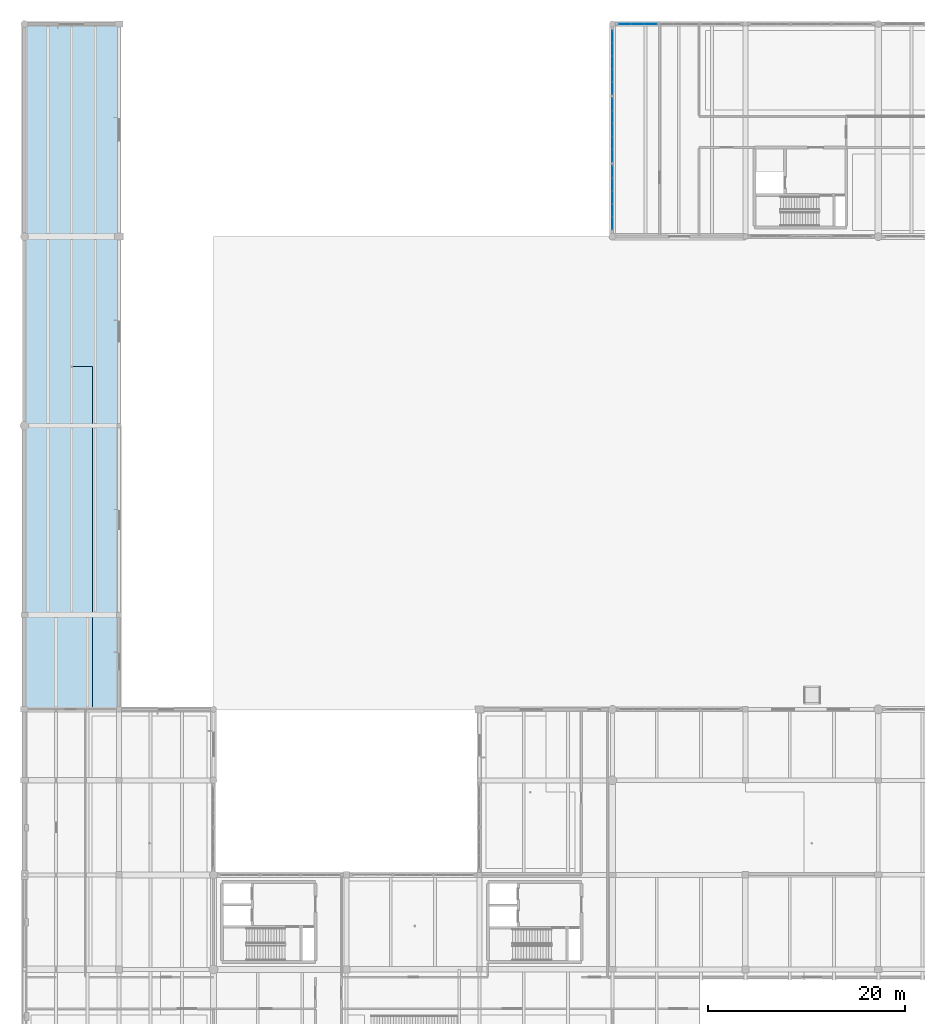
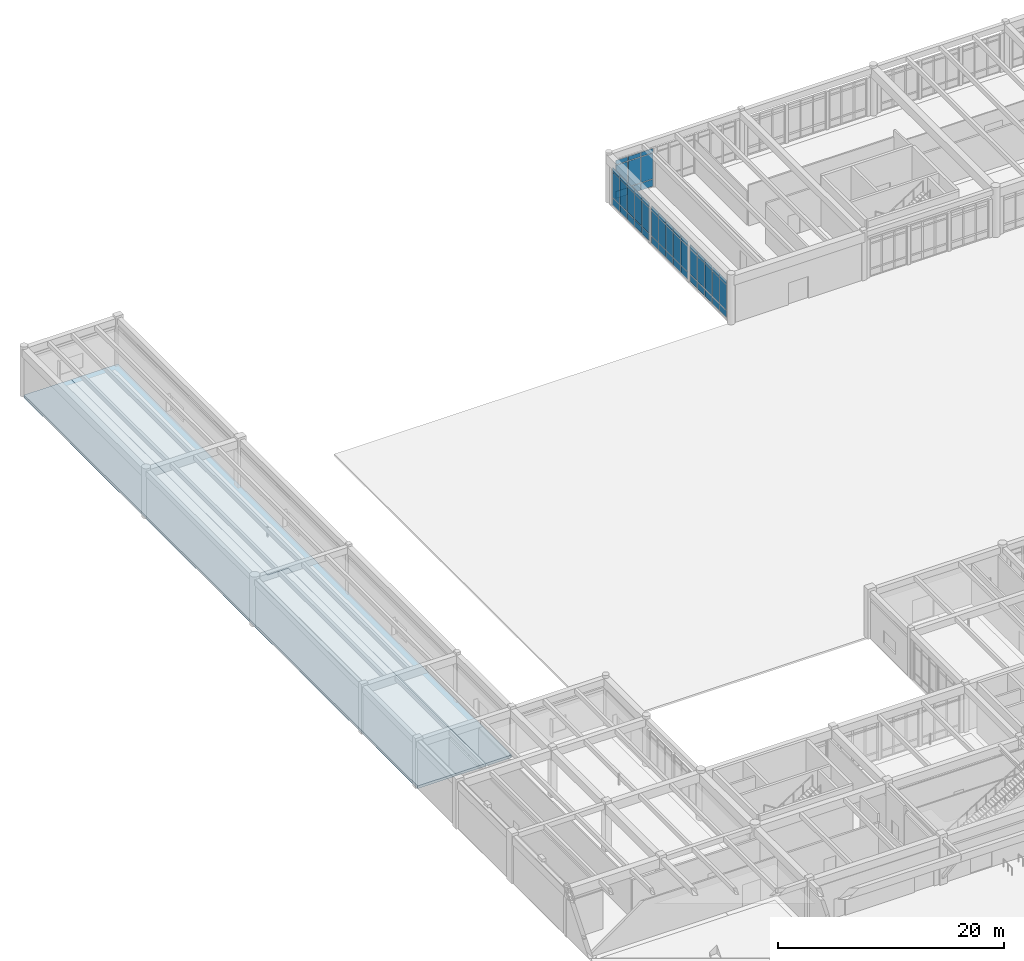
# One storey, part 93 of 138: 54 plates, 2 slabs, 4 elements without a shape of their own.
"""IFC4 building model written with IfcOpenShell, lengths in metres."""

from ifc_helpers import new_model, si_unit, direction, frame, origin, origin_2d, place, context, subcontext, project, spatial, polyline, rectangle, outline, extrude, material, layer, layer_set, type_object, element, aggregate, save


model = new_model("IFC4")

# Units and contexts
model_context = context("Model", 3, precision=1e-05, world=origin(), true_north=direction((0.0, 1.0)))
body_context = subcontext(model_context, "Body", "Model", "MODEL_VIEW")
ifc_project = project(units=[si_unit("LENGTHUNIT", "METRE"), si_unit("AREAUNIT", "SQUARE_METRE"), si_unit("VOLUMEUNIT", "CUBIC_METRE"), si_unit("PLANEANGLEUNIT", "RADIAN"), si_unit("MASSUNIT", "GRAM", prefix="KILO")], contexts=[model_context])

# Site, building, storey
site_placement = place(None, origin())
site = spatial("IfcSite", under=ifc_project, at=site_placement, CompositionType="ELEMENT")
building_placement = place(site_placement, origin())
building = spatial("IfcBuilding", under=site, at=building_placement, Name="Fikremerkos Civic Library", CompositionType="ELEMENT")
storey_placement = place(building_placement, origin())
storey = spatial("IfcBuildingStorey", under=building, at=storey_placement, Name="L00", CompositionType="ELEMENT", Elevation=0.0)

# Curtain wall, plates
ifc_material_1 = material(Name="Anodized aluminium Frame", Category="aluminium")
ifc_layer_1 = layer(ifc_material_1, 0.159912109375, Name="Anodized aluminium Frame")
ifc_layer_set_1 = layer_set([ifc_layer_1], Name="Anodized aluminium Frame")
curtain_wall_type_1 = type_object("IfcCurtainWallType", Name="Unitised curtain wall CW-01 3600x3600", PredefinedType="USERDEFINED", material=ifc_layer_set_1)
curtain_wall_1_placement = place(storey_placement, origin())
curtain_wall_1 = element("IfcCurtainWall", 1, at=curtain_wall_1_placement, inside=storey, type_object=curtain_wall_type_1, Name="Unitised curtain wall CW-01 L00 #37", ObjectType="UNITISED CURTAIN WALL", PredefinedType="USERDEFINED")
ifc_material_2 = material(Name="Solar control double glazing", Category="glass")
ifc_layer_2 = layer(ifc_material_2, 0.028076171875, Name="Solar control double glazing")
ifc_layer_set_2 = layer_set([ifc_layer_2], Name="Solar control double glazing")
plate_type_1 = type_object("IfcPlateType", Name="Curtain glazing panel CWP-01 28", PredefinedType="CURTAIN_PANEL", material=ifc_layer_set_2)
plate_1_placement = place(storey_placement, frame((59.699951171875, 97.369384765625, 0.06982421875), z_axis=(0.0, 0.0, 1.0), x_axis=(0.0, 1.0, 0.0)))
plate_1 = element("IfcPlate", 2, at=plate_1_placement, type_object=plate_type_1, Name="CW-01 panel 1.1", PredefinedType="CURTAIN_PANEL", context=body_context, shape_type="SweptSolid", body=[
    extrude(rectangle(XDim=1.212646484375, YDim=0.028076171875, at=origin_2d()), origin(), (0.0, 0.0, 1.0), 0.7451171875),
])
plate_2_placement = place(storey_placement, frame((59.699951171875, 97.369384765625, 0.88525390625), z_axis=(0.0, 0.0, 1.0), x_axis=(0.0, 1.0, 0.0)))
plate_2 = element("IfcPlate", 3, at=plate_2_placement, type_object=plate_type_1, Name="CW-01 panel 1.2", PredefinedType="CURTAIN_PANEL", context=body_context, shape_type="SweptSolid", body=[
    extrude(rectangle(XDim=1.212646484375, YDim=0.028076171875, at=origin_2d()), origin(), (0.0, 0.0, 1.0), 2.699951171875),
])
plate_3_placement = place(storey_placement, frame((59.699951171875, 97.369384765625, 3.65478515625), z_axis=(0.0, 0.0, 1.0), x_axis=(0.0, 1.0, 0.0)))
plate_3 = element("IfcPlate", 4, at=plate_3_placement, type_object=plate_type_1, Name="CW-01 panel 1.3", PredefinedType="CURTAIN_PANEL", context=body_context, shape_type="SweptSolid", body=[
    extrude(rectangle(XDim=1.212646484375, YDim=0.028076171875, at=origin_2d()), origin(), (0.0, 0.0, 1.0), 0.445068359375),
])
plate_4_placement = place(storey_placement, frame((59.699951171875, 98.663330078125, 0.06982421875), z_axis=(0.0, 0.0, 1.0), x_axis=(0.0, 1.0, 0.0)))
plate_4 = element("IfcPlate", 5, at=plate_4_placement, type_object=plate_type_1, Name="CW-01 panel 2.1", PredefinedType="CURTAIN_PANEL", context=body_context, shape_type="SweptSolid", body=[
    extrude(rectangle(XDim=1.245361328125, YDim=0.028076171875, at=origin_2d()), origin(), (0.0, 0.0, 1.0), 0.7451171875),
])
plate_5_placement = place(storey_placement, frame((59.699951171875, 98.663330078125, 0.88525390625), z_axis=(0.0, 0.0, 1.0), x_axis=(0.0, 1.0, 0.0)))
plate_5 = element("IfcPlate", 6, at=plate_5_placement, type_object=plate_type_1, Name="CW-01 panel 2.2", PredefinedType="CURTAIN_PANEL", context=body_context, shape_type="SweptSolid", body=[
    extrude(rectangle(XDim=1.245361328125, YDim=0.028076171875, at=origin_2d()), origin(), (0.0, 0.0, 1.0), 2.699951171875),
])
plate_6_placement = place(storey_placement, frame((59.699951171875, 98.663330078125, 3.65478515625), z_axis=(0.0, 0.0, 1.0), x_axis=(0.0, 1.0, 0.0)))
plate_6 = element("IfcPlate", 7, at=plate_6_placement, type_object=plate_type_1, Name="CW-01 panel 2.3", PredefinedType="CURTAIN_PANEL", context=body_context, shape_type="SweptSolid", body=[
    extrude(rectangle(XDim=1.245361328125, YDim=0.028076171875, at=origin_2d()), origin(), (0.0, 0.0, 1.0), 0.445068359375),
])
plate_7_placement = place(storey_placement, frame((59.699951171875, 99.9736328125, 0.06982421875), z_axis=(0.0, 0.0, 1.0), x_axis=(0.0, 1.0, 0.0)))
plate_7 = element("IfcPlate", 8, at=plate_7_placement, type_object=plate_type_1, Name="CW-01 panel 3.1", PredefinedType="CURTAIN_PANEL", context=body_context, shape_type="SweptSolid", body=[
    extrude(rectangle(XDim=1.245361328125, YDim=0.028076171875, at=origin_2d()), origin(), (0.0, 0.0, 1.0), 0.7451171875),
])
plate_8_placement = place(storey_placement, frame((59.699951171875, 99.9736328125, 0.88525390625), z_axis=(0.0, 0.0, 1.0), x_axis=(0.0, 1.0, 0.0)))
plate_8 = element("IfcPlate", 9, at=plate_8_placement, type_object=plate_type_1, Name="CW-01 panel 3.2", PredefinedType="CURTAIN_PANEL", context=body_context, shape_type="SweptSolid", body=[
    extrude(rectangle(XDim=1.245361328125, YDim=0.028076171875, at=origin_2d()), origin(), (0.0, 0.0, 1.0), 2.699951171875),
])
plate_9_placement = place(storey_placement, frame((59.699951171875, 99.9736328125, 3.65478515625), z_axis=(0.0, 0.0, 1.0), x_axis=(0.0, 1.0, 0.0)))
plate_9 = element("IfcPlate", 10, at=plate_9_placement, type_object=plate_type_1, Name="CW-01 panel 3.3", PredefinedType="CURTAIN_PANEL", context=body_context, shape_type="SweptSolid", body=[
    extrude(rectangle(XDim=1.245361328125, YDim=0.028076171875, at=origin_2d()), origin(), (0.0, 0.0, 1.0), 0.445068359375),
])
plate_10_placement = place(storey_placement, frame((59.699951171875, 101.283935546875, 0.06982421875), z_axis=(0.0, 0.0, 1.0), x_axis=(0.0, 1.0, 0.0)))
plate_10 = element("IfcPlate", 11, at=plate_10_placement, type_object=plate_type_1, Name="CW-01 panel 4.1", PredefinedType="CURTAIN_PANEL", context=body_context, shape_type="SweptSolid", body=[
    extrude(rectangle(XDim=1.245361328125, YDim=0.028076171875, at=origin_2d()), origin(), (0.0, 0.0, 1.0), 0.7451171875),
])
plate_11_placement = place(storey_placement, frame((59.699951171875, 101.283935546875, 0.88525390625), z_axis=(0.0, 0.0, 1.0), x_axis=(0.0, 1.0, 0.0)))
plate_11 = element("IfcPlate", 12, at=plate_11_placement, type_object=plate_type_1, Name="CW-01 panel 4.2", PredefinedType="CURTAIN_PANEL", context=body_context, shape_type="SweptSolid", body=[
    extrude(rectangle(XDim=1.245361328125, YDim=0.028076171875, at=origin_2d()), origin(), (0.0, 0.0, 1.0), 2.699951171875),
])
plate_12_placement = place(storey_placement, frame((59.699951171875, 101.283935546875, 3.65478515625), z_axis=(0.0, 0.0, 1.0), x_axis=(0.0, 1.0, 0.0)))
plate_12 = element("IfcPlate", 13, at=plate_12_placement, type_object=plate_type_1, Name="CW-01 panel 4.3", PredefinedType="CURTAIN_PANEL", context=body_context, shape_type="SweptSolid", body=[
    extrude(rectangle(XDim=1.245361328125, YDim=0.028076171875, at=origin_2d()), origin(), (0.0, 0.0, 1.0), 0.445068359375),
])
plate_13_placement = place(storey_placement, frame((59.699951171875, 102.577880859375, 0.06982421875), z_axis=(0.0, 0.0, 1.0), x_axis=(0.0, 1.0, 0.0)))
plate_13 = element("IfcPlate", 14, at=plate_13_placement, type_object=plate_type_1, Name="CW-01 panel 5.1", PredefinedType="CURTAIN_PANEL", context=body_context, shape_type="SweptSolid", body=[
    extrude(rectangle(XDim=1.212646484375, YDim=0.028076171875, at=origin_2d()), origin(), (0.0, 0.0, 1.0), 0.7451171875),
])
plate_14_placement = place(storey_placement, frame((59.699951171875, 102.577880859375, 0.88525390625), z_axis=(0.0, 0.0, 1.0), x_axis=(0.0, 1.0, 0.0)))
plate_14 = element("IfcPlate", 15, at=plate_14_placement, type_object=plate_type_1, Name="CW-01 panel 5.2", PredefinedType="CURTAIN_PANEL", context=body_context, shape_type="SweptSolid", body=[
    extrude(rectangle(XDim=1.212646484375, YDim=0.028076171875, at=origin_2d()), origin(), (0.0, 0.0, 1.0), 2.699951171875),
])
plate_15_placement = place(storey_placement, frame((59.699951171875, 102.577880859375, 3.65478515625), z_axis=(0.0, 0.0, 1.0), x_axis=(0.0, 1.0, 0.0)))
plate_15 = element("IfcPlate", 16, at=plate_15_placement, type_object=plate_type_1, Name="CW-01 panel 5.3", PredefinedType="CURTAIN_PANEL", context=body_context, shape_type="SweptSolid", body=[
    extrude(rectangle(XDim=1.212646484375, YDim=0.028076171875, at=origin_2d()), origin(), (0.0, 0.0, 1.0), 0.445068359375),
])
aggregate(curtain_wall_1, [plate_1, plate_2, plate_3, plate_4, plate_5, plate_6, plate_7, plate_8, plate_9, plate_10, plate_11, plate_12, plate_13, plate_14, plate_15])

ifc_layer_3 = layer(ifc_material_1, 0.159912109375, Name="Anodized aluminium Frame")
ifc_layer_set_3 = layer_set([ifc_layer_3], Name="Anodized aluminium Frame")
curtain_wall_type_2 = type_object("IfcCurtainWallType", Name="Unitised curtain wall CW-02 3900x3600", PredefinedType="USERDEFINED", material=ifc_layer_set_3)
curtain_wall_2_placement = place(storey_placement, origin())
curtain_wall_2 = element("IfcCurtainWall", 17, at=curtain_wall_2_placement, inside=storey, type_object=curtain_wall_type_2, Name="Unitised curtain wall CW-02 L00 #38", ObjectType="UNITISED CURTAIN WALL", PredefinedType="USERDEFINED")
ifc_layer_4 = layer(ifc_material_2, 0.035888671875, Name="Solar control double glazing")
ifc_layer_set_4 = layer_set([ifc_layer_4], Name="Solar control double glazing")
plate_type_2 = type_object("IfcPlateType", Name="Curtain glazing panel CWP-02 36", PredefinedType="CURTAIN_PANEL", material=ifc_layer_set_4)
plate_16_placement = place(storey_placement, frame((59.699951171875, 104.219482421875, 0.06982421875), z_axis=(0.0, 0.0, 1.0), x_axis=(0.0, 1.0, 0.0)))
plate_16 = element("IfcPlate", 18, at=plate_16_placement, type_object=plate_type_2, Name="CW-02 panel 1.1", PredefinedType="CURTAIN_PANEL", context=body_context, shape_type="SweptSolid", body=[
    extrude(rectangle(XDim=1.22021484375, YDim=0.035888671875, at=origin_2d()), origin(), (0.0, 0.0, 1.0), 0.7451171875),
])
plate_17_placement = place(storey_placement, frame((59.699951171875, 104.219482421875, 0.88525390625), z_axis=(0.0, 0.0, 1.0), x_axis=(0.0, 1.0, 0.0)))
plate_17 = element("IfcPlate", 19, at=plate_17_placement, type_object=plate_type_2, Name="CW-02 panel 1.2", PredefinedType="CURTAIN_PANEL", context=body_context, shape_type="SweptSolid", body=[
    extrude(rectangle(XDim=1.22021484375, YDim=0.035888671875, at=origin_2d()), origin(), (0.0, 0.0, 1.0), 2.699951171875),
])
plate_18_placement = place(storey_placement, frame((59.699951171875, 104.219482421875, 3.65478515625), z_axis=(0.0, 0.0, 1.0), x_axis=(0.0, 1.0, 0.0)))
plate_18 = element("IfcPlate", 20, at=plate_18_placement, type_object=plate_type_2, Name="CW-02 panel 1.3", PredefinedType="CURTAIN_PANEL", context=body_context, shape_type="SweptSolid", body=[
    extrude(rectangle(XDim=1.22021484375, YDim=0.035888671875, at=origin_2d()), origin(), (0.0, 0.0, 1.0), 0.445068359375),
])
plate_19_placement = place(storey_placement, frame((59.699951171875, 105.5146484375, 0.06982421875), z_axis=(0.0, 0.0, 1.0), x_axis=(0.0, 1.0, 0.0)))
plate_19 = element("IfcPlate", 21, at=plate_19_placement, type_object=plate_type_2, Name="CW-02 panel 2.1", PredefinedType="CURTAIN_PANEL", context=body_context, shape_type="SweptSolid", body=[
    extrude(rectangle(XDim=1.250244140625, YDim=0.035888671875, at=origin_2d()), origin(), (0.0, 0.0, 1.0), 0.7451171875),
])
plate_20_placement = place(storey_placement, frame((59.699951171875, 105.5146484375, 0.88525390625), z_axis=(0.0, 0.0, 1.0), x_axis=(0.0, 1.0, 0.0)))
plate_20 = element("IfcPlate", 22, at=plate_20_placement, type_object=plate_type_2, Name="CW-02 panel 2.2", PredefinedType="CURTAIN_PANEL", context=body_context, shape_type="SweptSolid", body=[
    extrude(rectangle(XDim=1.250244140625, YDim=0.035888671875, at=origin_2d()), origin(), (0.0, 0.0, 1.0), 2.699951171875),
])
plate_21_placement = place(storey_placement, frame((59.699951171875, 105.5146484375, 3.65478515625), z_axis=(0.0, 0.0, 1.0), x_axis=(0.0, 1.0, 0.0)))
plate_21 = element("IfcPlate", 23, at=plate_21_placement, type_object=plate_type_2, Name="CW-02 panel 2.3", PredefinedType="CURTAIN_PANEL", context=body_context, shape_type="SweptSolid", body=[
    extrude(rectangle(XDim=1.250244140625, YDim=0.035888671875, at=origin_2d()), origin(), (0.0, 0.0, 1.0), 0.445068359375),
])
plate_22_placement = place(storey_placement, frame((59.699951171875, 106.824951171875, 0.06982421875), z_axis=(0.0, 0.0, 1.0), x_axis=(0.0, 1.0, 0.0)))
plate_22 = element("IfcPlate", 24, at=plate_22_placement, type_object=plate_type_2, Name="CW-02 panel 3.1", PredefinedType="CURTAIN_PANEL", context=body_context, shape_type="SweptSolid", body=[
    extrude(rectangle(XDim=1.250244140625, YDim=0.035888671875, at=origin_2d()), origin(), (0.0, 0.0, 1.0), 0.7451171875),
])
plate_23_placement = place(storey_placement, frame((59.699951171875, 106.824951171875, 0.88525390625), z_axis=(0.0, 0.0, 1.0), x_axis=(0.0, 1.0, 0.0)))
plate_23 = element("IfcPlate", 25, at=plate_23_placement, type_object=plate_type_2, Name="CW-02 panel 3.2", PredefinedType="CURTAIN_PANEL", context=body_context, shape_type="SweptSolid", body=[
    extrude(rectangle(XDim=1.250244140625, YDim=0.035888671875, at=origin_2d()), origin(), (0.0, 0.0, 1.0), 2.699951171875),
])
plate_24_placement = place(storey_placement, frame((59.699951171875, 106.824951171875, 3.65478515625), z_axis=(0.0, 0.0, 1.0), x_axis=(0.0, 1.0, 0.0)))
plate_24 = element("IfcPlate", 26, at=plate_24_placement, type_object=plate_type_2, Name="CW-02 panel 3.3", PredefinedType="CURTAIN_PANEL", context=body_context, shape_type="SweptSolid", body=[
    extrude(rectangle(XDim=1.250244140625, YDim=0.035888671875, at=origin_2d()), origin(), (0.0, 0.0, 1.0), 0.445068359375),
])
plate_25_placement = place(storey_placement, frame((59.699951171875, 108.13525390625, 0.06982421875), z_axis=(0.0, 0.0, 1.0), x_axis=(0.0, 1.0, 0.0)))
plate_25 = element("IfcPlate", 27, at=plate_25_placement, type_object=plate_type_2, Name="CW-02 panel 4.1", PredefinedType="CURTAIN_PANEL", context=body_context, shape_type="SweptSolid", body=[
    extrude(rectangle(XDim=1.250244140625, YDim=0.035888671875, at=origin_2d()), origin(), (0.0, 0.0, 1.0), 0.7451171875),
])
plate_26_placement = place(storey_placement, frame((59.699951171875, 108.13525390625, 0.88525390625), z_axis=(0.0, 0.0, 1.0), x_axis=(0.0, 1.0, 0.0)))
plate_26 = element("IfcPlate", 28, at=plate_26_placement, type_object=plate_type_2, Name="CW-02 panel 4.2", PredefinedType="CURTAIN_PANEL", context=body_context, shape_type="SweptSolid", body=[
    extrude(rectangle(XDim=1.250244140625, YDim=0.035888671875, at=origin_2d()), origin(), (0.0, 0.0, 1.0), 2.699951171875),
])
plate_27_placement = place(storey_placement, frame((59.699951171875, 108.13525390625, 3.65478515625), z_axis=(0.0, 0.0, 1.0), x_axis=(0.0, 1.0, 0.0)))
plate_27 = element("IfcPlate", 29, at=plate_27_placement, type_object=plate_type_2, Name="CW-02 panel 4.3", PredefinedType="CURTAIN_PANEL", context=body_context, shape_type="SweptSolid", body=[
    extrude(rectangle(XDim=1.250244140625, YDim=0.035888671875, at=origin_2d()), origin(), (0.0, 0.0, 1.0), 0.445068359375),
])
plate_28_placement = place(storey_placement, frame((59.699951171875, 109.430419921875, 0.06982421875), z_axis=(0.0, 0.0, 1.0), x_axis=(0.0, 1.0, 0.0)))
plate_28 = element("IfcPlate", 30, at=plate_28_placement, type_object=plate_type_2, Name="CW-02 panel 5.1", PredefinedType="CURTAIN_PANEL", context=body_context, shape_type="SweptSolid", body=[
    extrude(rectangle(XDim=1.22021484375, YDim=0.035888671875, at=origin_2d()), origin(), (0.0, 0.0, 1.0), 0.7451171875),
])
plate_29_placement = place(storey_placement, frame((59.699951171875, 109.430419921875, 0.88525390625), z_axis=(0.0, 0.0, 1.0), x_axis=(0.0, 1.0, 0.0)))
plate_29 = element("IfcPlate", 31, at=plate_29_placement, type_object=plate_type_2, Name="CW-02 panel 5.2", PredefinedType="CURTAIN_PANEL", context=body_context, shape_type="SweptSolid", body=[
    extrude(rectangle(XDim=1.22021484375, YDim=0.035888671875, at=origin_2d()), origin(), (0.0, 0.0, 1.0), 2.699951171875),
])
plate_30_placement = place(storey_placement, frame((59.699951171875, 109.430419921875, 3.65478515625), z_axis=(0.0, 0.0, 1.0), x_axis=(0.0, 1.0, 0.0)))
plate_30 = element("IfcPlate", 32, at=plate_30_placement, type_object=plate_type_2, Name="CW-02 panel 5.3", PredefinedType="CURTAIN_PANEL", context=body_context, shape_type="SweptSolid", body=[
    extrude(rectangle(XDim=1.22021484375, YDim=0.035888671875, at=origin_2d()), origin(), (0.0, 0.0, 1.0), 0.445068359375),
])
aggregate(curtain_wall_2, [plate_16, plate_17, plate_18, plate_19, plate_20, plate_21, plate_22, plate_23, plate_24, plate_25, plate_26, plate_27, plate_28, plate_29, plate_30])

ifc_layer_5 = layer(ifc_material_1, 0.159912109375, Name="Anodized aluminium Frame")
ifc_layer_set_5 = layer_set([ifc_layer_5], Name="Anodized aluminium Frame")
curtain_wall_type_3 = type_object("IfcCurtainWallType", Name="Unitised curtain wall CW-03 4100x3600", PredefinedType="USERDEFINED", material=ifc_layer_set_5)
curtain_wall_3_placement = place(storey_placement, origin())
curtain_wall_3 = element("IfcCurtainWall", 33, at=curtain_wall_3_placement, inside=storey, type_object=curtain_wall_type_3, Name="Unitised curtain wall CW-03 L00 #39", ObjectType="UNITISED CURTAIN WALL", PredefinedType="USERDEFINED")
ifc_material_3 = material(Name="Insulated aluminium spandrel", Category="aluminium")
ifc_layer_6 = layer(ifc_material_3, 0.044921875, Name="Insulated aluminium spandrel")
ifc_layer_set_6 = layer_set([ifc_layer_6], Name="Insulated aluminium spandrel")
plate_type_3 = type_object("IfcPlateType", Name="Curtain spandrel panel CSP-01 45", PredefinedType="CURTAIN_PANEL", material=ifc_layer_set_6)
plate_31_placement = place(storey_placement, frame((59.699951171875, 111.07080078125, 0.06494140625), z_axis=(0.0, 0.0, 1.0), x_axis=(0.0, 1.0, 0.0)))
plate_31 = element("IfcPlate", 34, at=plate_31_placement, type_object=plate_type_3, Name="CW-03 panel 1.1", PredefinedType="CURTAIN_PANEL", context=body_context, shape_type="SweptSolid", body=[
    extrude(rectangle(XDim=1.22021484375, YDim=0.044921875, at=origin_2d()), origin(), (0.0, 0.0, 1.0), 0.75244140625),
])
plate_32_placement = place(storey_placement, frame((59.699951171875, 111.07080078125, 0.882568359375), z_axis=(0.0, 0.0, 1.0), x_axis=(0.0, 1.0, 0.0)))
plate_32 = element("IfcPlate", 35, at=plate_32_placement, type_object=plate_type_3, Name="CW-03 panel 1.2", PredefinedType="CURTAIN_PANEL", context=body_context, shape_type="SweptSolid", body=[
    extrude(rectangle(XDim=1.22021484375, YDim=0.044921875, at=origin_2d()), origin(), (0.0, 0.0, 1.0), 2.705078125),
])
plate_33_placement = place(storey_placement, frame((59.699951171875, 111.07080078125, 3.65234375), z_axis=(0.0, 0.0, 1.0), x_axis=(0.0, 1.0, 0.0)))
plate_33 = element("IfcPlate", 36, at=plate_33_placement, type_object=plate_type_3, Name="CW-03 panel 1.3", PredefinedType="CURTAIN_PANEL", context=body_context, shape_type="SweptSolid", body=[
    extrude(rectangle(XDim=1.22021484375, YDim=0.044921875, at=origin_2d()), origin(), (0.0, 0.0, 1.0), 0.452392578125),
])
plate_34_placement = place(storey_placement, frame((59.699951171875, 112.365966796875, 0.06494140625), z_axis=(0.0, 0.0, 1.0), x_axis=(0.0, 1.0, 0.0)))
plate_34 = element("IfcPlate", 37, at=plate_34_placement, type_object=plate_type_3, Name="CW-03 panel 2.1", PredefinedType="CURTAIN_PANEL", context=body_context, shape_type="SweptSolid", body=[
    extrude(rectangle(XDim=1.250244140625, YDim=0.044921875, at=origin_2d()), origin(), (0.0, 0.0, 1.0), 0.75244140625),
])
plate_35_placement = place(storey_placement, frame((59.699951171875, 112.365966796875, 0.882568359375), z_axis=(0.0, 0.0, 1.0), x_axis=(0.0, 1.0, 0.0)))
plate_35 = element("IfcPlate", 38, at=plate_35_placement, type_object=plate_type_3, Name="CW-03 panel 2.2", PredefinedType="CURTAIN_PANEL", context=body_context, shape_type="SweptSolid", body=[
    extrude(rectangle(XDim=1.250244140625, YDim=0.044921875, at=origin_2d()), origin(), (0.0, 0.0, 1.0), 2.705078125),
])
plate_36_placement = place(storey_placement, frame((59.699951171875, 112.365966796875, 3.65234375), z_axis=(0.0, 0.0, 1.0), x_axis=(0.0, 1.0, 0.0)))
plate_36 = element("IfcPlate", 39, at=plate_36_placement, type_object=plate_type_3, Name="CW-03 panel 2.3", PredefinedType="CURTAIN_PANEL", context=body_context, shape_type="SweptSolid", body=[
    extrude(rectangle(XDim=1.250244140625, YDim=0.044921875, at=origin_2d()), origin(), (0.0, 0.0, 1.0), 0.452392578125),
])
plate_37_placement = place(storey_placement, frame((59.699951171875, 113.67626953125, 0.06494140625), z_axis=(0.0, 0.0, 1.0), x_axis=(0.0, 1.0, 0.0)))
plate_37 = element("IfcPlate", 40, at=plate_37_placement, type_object=plate_type_3, Name="CW-03 panel 3.1", PredefinedType="CURTAIN_PANEL", context=body_context, shape_type="SweptSolid", body=[
    extrude(rectangle(XDim=1.250244140625, YDim=0.044921875, at=origin_2d()), origin(), (0.0, 0.0, 1.0), 0.75244140625),
])
plate_38_placement = place(storey_placement, frame((59.699951171875, 113.67626953125, 0.882568359375), z_axis=(0.0, 0.0, 1.0), x_axis=(0.0, 1.0, 0.0)))
plate_38 = element("IfcPlate", 41, at=plate_38_placement, type_object=plate_type_3, Name="CW-03 panel 3.2", PredefinedType="CURTAIN_PANEL", context=body_context, shape_type="SweptSolid", body=[
    extrude(rectangle(XDim=1.250244140625, YDim=0.044921875, at=origin_2d()), origin(), (0.0, 0.0, 1.0), 2.705078125),
])
plate_39_placement = place(storey_placement, frame((59.699951171875, 113.67626953125, 3.65234375), z_axis=(0.0, 0.0, 1.0), x_axis=(0.0, 1.0, 0.0)))
plate_39 = element("IfcPlate", 42, at=plate_39_placement, type_object=plate_type_3, Name="CW-03 panel 3.3", PredefinedType="CURTAIN_PANEL", context=body_context, shape_type="SweptSolid", body=[
    extrude(rectangle(XDim=1.250244140625, YDim=0.044921875, at=origin_2d()), origin(), (0.0, 0.0, 1.0), 0.452392578125),
])
plate_40_placement = place(storey_placement, frame((59.699951171875, 114.986572265625, 0.06494140625), z_axis=(0.0, 0.0, 1.0), x_axis=(0.0, 1.0, 0.0)))
plate_40 = element("IfcPlate", 43, at=plate_40_placement, type_object=plate_type_3, Name="CW-03 panel 4.1", PredefinedType="CURTAIN_PANEL", context=body_context, shape_type="SweptSolid", body=[
    extrude(rectangle(XDim=1.250244140625, YDim=0.044921875, at=origin_2d()), origin(), (0.0, 0.0, 1.0), 0.75244140625),
])
plate_41_placement = place(storey_placement, frame((59.699951171875, 114.986572265625, 0.882568359375), z_axis=(0.0, 0.0, 1.0), x_axis=(0.0, 1.0, 0.0)))
plate_41 = element("IfcPlate", 44, at=plate_41_placement, type_object=plate_type_3, Name="CW-03 panel 4.2", PredefinedType="CURTAIN_PANEL", context=body_context, shape_type="SweptSolid", body=[
    extrude(rectangle(XDim=1.250244140625, YDim=0.044921875, at=origin_2d()), origin(), (0.0, 0.0, 1.0), 2.705078125),
])
plate_42_placement = place(storey_placement, frame((59.699951171875, 114.986572265625, 3.65234375), z_axis=(0.0, 0.0, 1.0), x_axis=(0.0, 1.0, 0.0)))
plate_42 = element("IfcPlate", 45, at=plate_42_placement, type_object=plate_type_3, Name="CW-03 panel 4.3", PredefinedType="CURTAIN_PANEL", context=body_context, shape_type="SweptSolid", body=[
    extrude(rectangle(XDim=1.250244140625, YDim=0.044921875, at=origin_2d()), origin(), (0.0, 0.0, 1.0), 0.452392578125),
])
plate_43_placement = place(storey_placement, frame((59.699951171875, 116.281982421875, 0.06494140625), z_axis=(0.0, 0.0, 1.0), x_axis=(0.0, 1.0, 0.0)))
plate_43 = element("IfcPlate", 46, at=plate_43_placement, type_object=plate_type_3, Name="CW-03 panel 5.1", PredefinedType="CURTAIN_PANEL", context=body_context, shape_type="SweptSolid", body=[
    extrude(rectangle(XDim=1.22021484375, YDim=0.044921875, at=origin_2d()), origin(), (0.0, 0.0, 1.0), 0.75244140625),
])
plate_44_placement = place(storey_placement, frame((59.699951171875, 116.281982421875, 0.882568359375), z_axis=(0.0, 0.0, 1.0), x_axis=(0.0, 1.0, 0.0)))
plate_44 = element("IfcPlate", 47, at=plate_44_placement, type_object=plate_type_3, Name="CW-03 panel 5.2", PredefinedType="CURTAIN_PANEL", context=body_context, shape_type="SweptSolid", body=[
    extrude(rectangle(XDim=1.22021484375, YDim=0.044921875, at=origin_2d()), origin(), (0.0, 0.0, 1.0), 2.705078125),
])
plate_45_placement = place(storey_placement, frame((59.699951171875, 116.281982421875, 3.65234375), z_axis=(0.0, 0.0, 1.0), x_axis=(0.0, 1.0, 0.0)))
plate_45 = element("IfcPlate", 48, at=plate_45_placement, type_object=plate_type_3, Name="CW-03 panel 5.3", PredefinedType="CURTAIN_PANEL", context=body_context, shape_type="SweptSolid", body=[
    extrude(rectangle(XDim=1.22021484375, YDim=0.044921875, at=origin_2d()), origin(), (0.0, 0.0, 1.0), 0.452392578125),
])
aggregate(curtain_wall_3, [plate_31, plate_32, plate_33, plate_34, plate_35, plate_36, plate_37, plate_38, plate_39, plate_40, plate_41, plate_42, plate_43, plate_44, plate_45])

ifc_layer_7 = layer(ifc_material_1, 0.159912109375, Name="Anodized aluminium Frame")
ifc_layer_set_7 = layer_set([ifc_layer_7], Name="Anodized aluminium Frame")
curtain_wall_type_4 = type_object("IfcCurtainWallType", Name="Unitised curtain wall CW-04 3400x3600", PredefinedType="USERDEFINED", material=ifc_layer_set_7)
curtain_wall_4_placement = place(storey_placement, origin())
curtain_wall_4 = element("IfcCurtainWall", 49, at=curtain_wall_4_placement, inside=storey, type_object=curtain_wall_type_4, Name="Unitised curtain wall CW-04 L00 #40", ObjectType="UNITISED CURTAIN WALL", PredefinedType="USERDEFINED")
ifc_layer_8 = layer(ifc_material_3, 0.054931640625, Name="Insulated aluminium spandrel")
ifc_layer_set_8 = layer_set([ifc_layer_8], Name="Insulated aluminium spandrel")
plate_type_4 = type_object("IfcPlateType", Name="Curtain spandrel panel CSP-02 55", PredefinedType="CURTAIN_PANEL", material=ifc_layer_set_8)
plate_46_placement = place(storey_placement, frame((61.01171875, 117.60009765625, 0.06494140625), z_axis=(0.0, 0.0, 1.0), x_axis=(1.0, 0.0, 0.0)))
plate_46 = element("IfcPlate", 50, at=plate_46_placement, type_object=plate_type_4, Name="CW-04 panel 1.1", PredefinedType="CURTAIN_PANEL", context=body_context, shape_type="SweptSolid", body=[
    extrude(rectangle(XDim=1.207763671875, YDim=0.054931640625, at=origin_2d()), origin(), (0.0, 0.0, 1.0), 0.75244140625),
])
plate_47_placement = place(storey_placement, frame((61.01171875, 117.60009765625, 0.882568359375), z_axis=(0.0, 0.0, 1.0), x_axis=(1.0, 0.0, 0.0)))
plate_47 = element("IfcPlate", 51, at=plate_47_placement, type_object=plate_type_4, Name="CW-04 panel 1.2", PredefinedType="CURTAIN_PANEL", context=body_context, shape_type="SweptSolid", body=[
    extrude(rectangle(XDim=1.207763671875, YDim=0.054931640625, at=origin_2d()), origin(), (0.0, 0.0, 1.0), 2.7548828125),
])
plate_48_placement = place(storey_placement, frame((61.01171875, 117.60009765625, 3.70263671875), z_axis=(0.0, 0.0, 1.0), x_axis=(1.0, 0.0, 0.0)))
plate_48 = element("IfcPlate", 52, at=plate_48_placement, type_object=plate_type_4, Name="CW-04 panel 1.3", PredefinedType="CURTAIN_PANEL", context=body_context, shape_type="SweptSolid", body=[
    extrude(rectangle(XDim=1.207763671875, YDim=0.054931640625, at=origin_2d()), origin(), (0.0, 0.0, 1.0), 0.452392578125),
])
plate_49_placement = place(storey_placement, frame((62.29443359375, 117.60009765625, 0.06494140625), z_axis=(0.0, 0.0, 1.0), x_axis=(1.0, 0.0, 0.0)))
plate_49 = element("IfcPlate", 53, at=plate_49_placement, type_object=plate_type_4, Name="CW-04 panel 2.1", PredefinedType="CURTAIN_PANEL", context=body_context, shape_type="SweptSolid", body=[
    extrude(rectangle(XDim=1.237548828125, YDim=0.054931640625, at=origin_2d()), origin(), (0.0, 0.0, 1.0), 0.75244140625),
])
plate_50_placement = place(storey_placement, frame((62.29443359375, 117.60009765625, 0.882568359375), z_axis=(0.0, 0.0, 1.0), x_axis=(1.0, 0.0, 0.0)))
plate_50 = element("IfcPlate", 54, at=plate_50_placement, type_object=plate_type_4, Name="CW-04 panel 2.2", PredefinedType="CURTAIN_PANEL", context=body_context, shape_type="SweptSolid", body=[
    extrude(rectangle(XDim=1.237548828125, YDim=0.054931640625, at=origin_2d()), origin(), (0.0, 0.0, 1.0), 2.7548828125),
])
plate_51_placement = place(storey_placement, frame((62.29443359375, 117.60009765625, 3.70263671875), z_axis=(0.0, 0.0, 1.0), x_axis=(1.0, 0.0, 0.0)))
plate_51 = element("IfcPlate", 55, at=plate_51_placement, type_object=plate_type_4, Name="CW-04 panel 2.3", PredefinedType="CURTAIN_PANEL", context=body_context, shape_type="SweptSolid", body=[
    extrude(rectangle(XDim=1.237548828125, YDim=0.054931640625, at=origin_2d()), origin(), (0.0, 0.0, 1.0), 0.452392578125),
])
plate_52_placement = place(storey_placement, frame((63.5771484375, 117.60009765625, 0.06494140625), z_axis=(0.0, 0.0, 1.0), x_axis=(1.0, 0.0, 0.0)))
plate_52 = element("IfcPlate", 56, at=plate_52_placement, type_object=plate_type_4, Name="CW-04 panel 3.1", PredefinedType="CURTAIN_PANEL", context=body_context, shape_type="SweptSolid", body=[
    extrude(rectangle(XDim=1.207763671875, YDim=0.054931640625, at=origin_2d()), origin(), (0.0, 0.0, 1.0), 0.75244140625),
])
plate_53_placement = place(storey_placement, frame((63.5771484375, 117.60009765625, 0.882568359375), z_axis=(0.0, 0.0, 1.0), x_axis=(1.0, 0.0, 0.0)))
plate_53 = element("IfcPlate", 57, at=plate_53_placement, type_object=plate_type_4, Name="CW-04 panel 3.2", PredefinedType="CURTAIN_PANEL", context=body_context, shape_type="SweptSolid", body=[
    extrude(rectangle(XDim=1.207763671875, YDim=0.054931640625, at=origin_2d()), origin(), (0.0, 0.0, 1.0), 2.7548828125),
])
plate_54_placement = place(storey_placement, frame((63.5771484375, 117.60009765625, 3.70263671875), z_axis=(0.0, 0.0, 1.0), x_axis=(1.0, 0.0, 0.0)))
plate_54 = element("IfcPlate", 58, at=plate_54_placement, type_object=plate_type_4, Name="CW-04 panel 3.3", PredefinedType="CURTAIN_PANEL", context=body_context, shape_type="SweptSolid", body=[
    extrude(rectangle(XDim=1.207763671875, YDim=0.054931640625, at=origin_2d()), origin(), (0.0, 0.0, 1.0), 0.452392578125),
])
aggregate(curtain_wall_4, [plate_46, plate_47, plate_48, plate_49, plate_50, plate_51, plate_52, plate_53, plate_54])

# Slabs
ifc_material_4 = material(Name="Concrete C40/50", Category="concrete")
ifc_layer_9 = layer(ifc_material_4, 0.280029296875, Name="Concrete C40/50")
ifc_layer_set_9 = layer_set([ifc_layer_9], Name="Concrete C40/50")
slab_type = type_object("IfcSlabType", Name="Suspended floor slab SFS-04 280", PredefinedType="FLOOR", material=ifc_layer_set_9)
slab_1_placement = place(storey_placement, frame((0.0, 0.0, -0.280029296875)))
element("IfcSlab", 59, at=slab_1_placement, inside=storey, type_object=slab_type, Name="Floor slab SFS-04 SLB-L00-V5-N-1L1", PredefinedType="FLOOR", context=body_context, shape_type="SweptSolid", body=[
    extrude(outline(polyline([(0.0, 48.0), (6.907958984375, 48.0), (6.907958984375, 82.7958984375), (4.7958984375, 82.7958984375), (4.7958984375, 117.60009765625), (0.0, 117.60009765625), (0.0, 48.0)])), origin(), (0.0, 0.0, 1.0), 0.280029296875),
])
slab_2_placement = place(storey_placement, frame((0.0, 0.0, -0.280029296875)))
element("IfcSlab", 60, at=slab_2_placement, inside=storey, type_object=slab_type, Name="Floor slab SFS-04 SLB-L00-V5-N-1L2", PredefinedType="FLOOR", context=body_context, shape_type="SweptSolid", body=[
    extrude(outline(polyline([(6.916015625, 48.0), (9.60009765625, 48.0), (9.60009765625, 117.60009765625), (4.803955078125, 117.60009765625), (4.803955078125, 82.803955078125), (6.916015625, 82.803955078125), (6.916015625, 48.0)])), origin(), (0.0, 0.0, 1.0), 0.280029296875),
])

save(model, "model.ifc")
